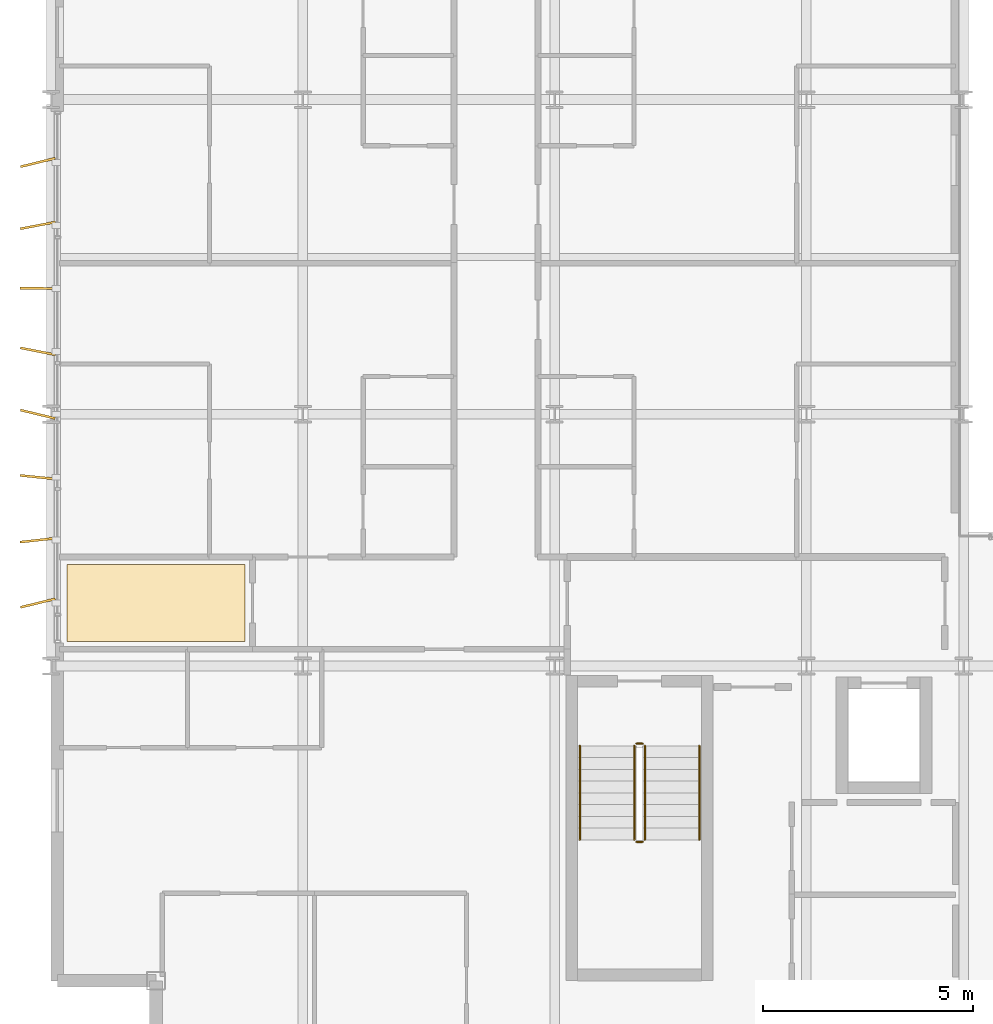
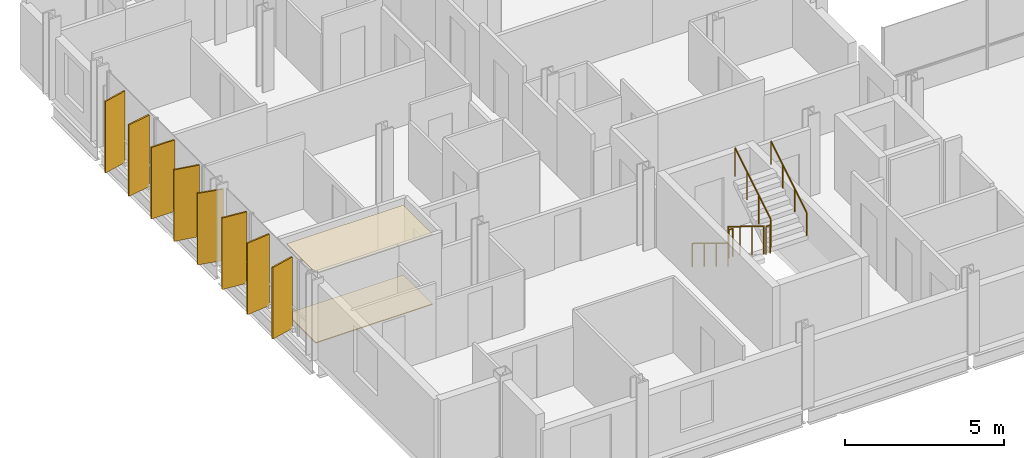
# One storey, part 36 of 39: 8 shading devices, 6 railings, 2 coverings.
"""IFC4 building model written with IfcOpenShell, lengths in metres."""

from ifc_helpers import new_model, si_unit, direction, frame, origin, origin_2d, place, context, subcontext, project, spatial, polyline, rectangle, circle, outline, extrude, material, layer, layer_set, type_object, element, save


model = new_model("IFC4")

# Units and contexts
model_context = context("Model", 3, precision=1e-05, world=origin(), true_north=direction((0.0, 1.0)))
body_context = subcontext(model_context, "Body", "Model", "MODEL_VIEW")
ifc_project = project(units=[si_unit("LENGTHUNIT", "METRE"), si_unit("AREAUNIT", "SQUARE_METRE"), si_unit("VOLUMEUNIT", "CUBIC_METRE"), si_unit("PLANEANGLEUNIT", "RADIAN"), si_unit("MASSUNIT", "GRAM", prefix="KILO")], contexts=[model_context])

# Site, building, storey
site_placement = place(None, origin())
site = spatial("IfcSite", under=ifc_project, at=site_placement, CompositionType="ELEMENT")
building_placement = place(site_placement, origin())
building = spatial("IfcBuilding", under=site, at=building_placement, Name="Brevholm Reach", CompositionType="ELEMENT")
storey_placement = place(building_placement, frame((0.0, 0.0, 109.699951171875)))
storey = spatial("IfcBuildingStorey", under=building, at=storey_placement, Name="L32", CompositionType="ELEMENT", Elevation=109.699951171875)

# Coverings
ifc_material_1 = material(Name="Moisture-Resistant Skimmed Gypsum Plasterboard Ceiling", Category="gypsum")
ifc_layer_1 = layer(ifc_material_1, 0.030029296875)
ifc_layer_set_1 = layer_set([ifc_layer_1], Name="Moisture-Resistant Skimmed Gypsum Plasterboard Ceiling")
covering_type_1 = type_object("IfcCoveringType", Name="COV-CLG-GYP", PredefinedType="CEILING", material=ifc_layer_set_1)
covering_1_placement = place(storey_placement, frame((0.0, 0.0, 2.679931640625)))
element("IfcCovering", 1, at=covering_1_placement, inside=storey, type_object=covering_type_1, Name="L32 Suspended Ceiling L32-33", PredefinedType="CEILING", context=body_context, shape_type="SweptSolid", body=[
    extrude(outline(polyline([(0.3798828125, 12.419921875), (4.615966796875, 12.419921875), (4.615966796875, 10.583984375), (0.3798828125, 10.583984375), (0.3798828125, 12.419921875)])), origin(), (0.0, 0.0, 1.0), 0.030029296875),
])
ifc_material_2 = material(Name="Honed Portland-Aggregate Resin Terrazzo Flooring", Category="concrete")
ifc_layer_2 = layer(ifc_material_2, 0.031982421875)
ifc_layer_set_2 = layer_set([ifc_layer_2], Name="Honed Portland-Aggregate Resin Terrazzo Flooring")
covering_type_2 = type_object("IfcCoveringType", Name="COV-FLR-TRZ", PredefinedType="FLOORING", material=ifc_layer_set_2)
covering_2_placement = place(storey_placement, origin())
element("IfcCovering", 2, at=covering_2_placement, inside=storey, type_object=covering_type_2, Name="L32 Floor Finish L32-33", PredefinedType="FLOORING", context=body_context, shape_type="SweptSolid", body=[
    extrude(outline(polyline([(0.3798828125, 12.419921875), (4.615966796875, 12.419921875), (4.615966796875, 10.583984375), (0.3798828125, 10.583984375), (0.3798828125, 12.419921875)])), origin(), (0.0, 0.0, 1.0), 0.031982421875),
])

# Railings
ifc_material_3 = material(Name="Brushed Stainless Steel EN 1.4401 Continuous Handrail", Category="steel")
railing_type_1 = type_object("IfcRailingType", Name="RAL-HND-950", PredefinedType="HANDRAIL", material=ifc_material_3)
railing_1_placement = place(storey_placement, frame((12.60009765625, 8.10009765625, 0.17236328125)))
element("IfcRailing", 3, at=railing_1_placement, inside=storey, type_object=railing_type_1, Name="L32 ST-1 stair handrail 1", PredefinedType="HANDRAIL", context=body_context, shape_type="SweptSolid", body=[
    extrude(circle(Radius=0.02392578125, at=origin_2d()), frame((0.0, 0.0, 0.8857421875), z_axis=(0.0, -0.85178898068, 0.523885037382), x_axis=(1.0, 0.0, 0.0)), (0.0, 0.0, 1.0), 2.629638671875),
    extrude(circle(Radius=0.02099609375, at=origin_2d()), origin(), (0.0, 0.0, 1.0), 0.86181640625),
    extrude(circle(Radius=0.02099609375, at=origin_2d()), frame((0.0, -0.74658203125, 0.459228515625)), (0.0, 0.0, 1.0), 0.86181640625),
    extrude(circle(Radius=0.02099609375, at=origin_2d()), frame((0.0, -1.493408203125, 0.91845703125)), (0.0, 0.0, 1.0), 0.86181640625),
    extrude(circle(Radius=0.02099609375, at=origin_2d()), frame((0.0, -2.239990234375, 1.377685546875)), (0.0, 0.0, 1.0), 0.86181640625),
])
railing_2_placement = place(storey_placement, frame((15.449951171875, 5.860107421875, 1.72216796875)))
element("IfcRailing", 4, at=railing_2_placement, inside=storey, type_object=railing_type_1, Name="L32 ST-1 stair handrail 2", PredefinedType="HANDRAIL", context=body_context, shape_type="SweptSolid", body=[
    extrude(circle(Radius=0.02392578125, at=origin_2d()), frame((0.0, 0.0, 0.8857421875), z_axis=(0.0, 0.851747552033, 0.523952390591), x_axis=(-1.0, 0.0, 0.0)), (0.0, 0.0, 1.0), 2.6298828125),
    extrude(circle(Radius=0.02099609375, at=origin_2d()), origin(), (0.0, 0.0, 1.0), 0.86181640625),
    extrude(circle(Radius=0.02099609375, at=origin_2d()), frame((0.0, 0.74658203125, 0.459228515625)), (0.0, 0.0, 1.0), 0.86181640625),
    extrude(circle(Radius=0.02099609375, at=origin_2d()), frame((0.0, 1.493408203125, 0.918701171875)), (0.0, 0.0, 1.0), 0.86181640625),
    extrude(circle(Radius=0.02099609375, at=origin_2d()), frame((0.0, 2.239990234375, 1.3779296875)), (0.0, 0.0, 1.0), 0.86181640625),
])
ifc_material_4 = material(Name="Painted Tubular Galvanised Steel S275JR Stair Guard", Category="steel")
railing_type_2 = type_object("IfcRailingType", Name="RAL-STG-1120", PredefinedType="BALUSTRADE", material=ifc_material_4)
railing_3_placement = place(storey_placement, frame((13.89990234375, 8.10009765625, 0.17236328125)))
element("IfcRailing", 5, at=railing_3_placement, inside=storey, type_object=railing_type_2, Name="L32 ST-1 stair guard 1", PredefinedType="BALUSTRADE", context=body_context, shape_type="SweptSolid", body=[
    extrude(circle(Radius=0.02392578125, at=origin_2d()), frame((0.0, 0.0, 1.076171875), z_axis=(0.0, -0.85178898068, 0.523885037382), x_axis=(1.0, 0.0, 0.0)), (0.0, 0.0, 1.0), 2.629638671875),
    extrude(circle(Radius=0.02099609375, at=origin_2d()), origin(), (0.0, 0.0, 1.0), 1.052001953125),
    extrude(circle(Radius=0.02099609375, at=origin_2d()), frame((0.0, -0.74658203125, 0.459228515625)), (0.0, 0.0, 1.0), 1.052001953125),
    extrude(circle(Radius=0.02099609375, at=origin_2d()), frame((0.0, -1.493408203125, 0.91845703125)), (0.0, 0.0, 1.0), 1.052001953125),
    extrude(circle(Radius=0.02099609375, at=origin_2d()), frame((0.0, -2.239990234375, 1.377685546875)), (0.0, 0.0, 1.0), 1.052001953125),
])
railing_4_placement = place(storey_placement, frame((13.949951171875, 5.81005859375, 1.550048828125)))
element("IfcRailing", 6, at=railing_4_placement, inside=storey, type_object=railing_type_2, Name="L32 ST-1 stair guard 2", PredefinedType="BALUSTRADE", context=body_context, shape_type="SweptSolid", body=[
    extrude(circle(Radius=0.02392578125, at=origin_2d()), frame((0.0, 0.0, 1.076171875), z_axis=(1.0, 0.0, 0.0), x_axis=(0.0, 1.0, 0.0)), (0.0, 0.0, 1.0), 0.150146484375),
    extrude(circle(Radius=0.02099609375, at=origin_2d()), origin(), (0.0, 0.0, 1.0), 1.052001953125),
    extrude(circle(Radius=0.02099609375, at=origin_2d()), frame((0.150146484375, 0.0, 0.0)), (0.0, 0.0, 1.0), 1.052001953125),
])
railing_5_placement = place(storey_placement, frame((14.14990234375, 5.860107421875, 1.72216796875)))
element("IfcRailing", 7, at=railing_5_placement, inside=storey, type_object=railing_type_2, Name="L32 ST-1 stair guard 3", PredefinedType="BALUSTRADE", context=body_context, shape_type="SweptSolid", body=[
    extrude(circle(Radius=0.02392578125, at=origin_2d()), frame((0.0, 0.0, 1.076171875), z_axis=(0.0, 0.851747552033, 0.523952390591), x_axis=(-1.0, 0.0, 0.0)), (0.0, 0.0, 1.0), 2.6298828125),
    extrude(circle(Radius=0.02099609375, at=origin_2d()), origin(), (0.0, 0.0, 1.0), 1.052001953125),
    extrude(circle(Radius=0.02099609375, at=origin_2d()), frame((0.0, 0.74658203125, 0.459228515625)), (0.0, 0.0, 1.0), 1.052001953125),
    extrude(circle(Radius=0.02099609375, at=origin_2d()), frame((0.0, 1.493408203125, 0.918701171875)), (0.0, 0.0, 1.0), 1.052001953125),
    extrude(circle(Radius=0.02099609375, at=origin_2d()), frame((0.0, 2.239990234375, 1.3779296875)), (0.0, 0.0, 1.0), 1.052001953125),
])
railing_6_placement = place(storey_placement, frame((13.949951171875, 8.14990234375, 0.0)))
element("IfcRailing", 8, at=railing_6_placement, inside=storey, type_object=railing_type_2, Name="L32 ST-1 stair guard 4", PredefinedType="BALUSTRADE", context=body_context, shape_type="SweptSolid", body=[
    extrude(circle(Radius=0.02392578125, at=origin_2d()), frame((0.0, 0.0, 1.076171875), z_axis=(1.0, 0.0, 0.0), x_axis=(0.0, 1.0, 0.0)), (0.0, 0.0, 1.0), 0.150146484375),
    extrude(circle(Radius=0.02099609375, at=origin_2d()), origin(), (0.0, 0.0, 1.0), 1.052001953125),
    extrude(circle(Radius=0.02099609375, at=origin_2d()), frame((0.150146484375, 0.0, 0.0)), (0.0, 0.0, 1.0), 1.052001953125),
])

# Shading devices
ifc_material_5 = material(Name="Perforated Champagne-Bronze Anodised Aluminium", Category="aluminium")
ifc_layer_3 = layer(ifc_material_5, 0.054931640625)
ifc_layer_set_3 = layer_set([ifc_layer_3], Name="Perforated Champagne-Bronze Anodised Aluminium")
shading_device_type = type_object("IfcShadingDeviceType", Name="SHD-FIN-850", PredefinedType="USERDEFINED", material=ifc_layer_set_3)
for number, where, z_axis, x_axis, name in (
    (9, (-0.31494140625, 11.5, 0.06982421875), (0.0, 0.0, 1.0), (-0.971516041684, -0.236973797604, 0.0), "L32 Perforated Solar Screen Fin 1"),
    (10, (-0.31494140625, 13.0, 0.06982421875), (0.0, 0.0, 1.0), (-0.993912980213, -0.110167997914, 0.0), "L32 Perforated Solar Screen Fin 2"),
    (11, (-0.31494140625, 14.5, 0.06982421875), (0.0, 0.0, 1.0), (-0.994843602938, 0.101420933212, 0.0), "L32 Perforated Solar Screen Fin 3"),
    (12, (-0.31494140625, 16.0, 0.06982421875), (0.0, 0.0, 1.0), (-0.972026626745, 0.234870681223, 0.0), "L32 Perforated Solar Screen Fin 4"),
    (13, (-0.31494140625, 17.5, 0.06982421875), (0.0, 0.0, 1.0), (-0.981232133009, 0.192830239203, 0.0), "L32 Perforated Solar Screen Fin 5"),
    (14, (-0.31494140625, 19.0, 0.06982421875), (0.0, 0.0, 1.0), (-0.999988059021, 0.004886902454, 0.0), "L32 Perforated Solar Screen Fin 6"),
    (15, (-0.31494140625, 20.5, 0.06982421875), (0.0, 0.0, 1.0), (-0.982388489995, -0.186849818636, 0.0), "L32 Perforated Solar Screen Fin 7"),
    (16, (-0.31494140625, 22.0, 0.06982421875), (0.0, 0.0, 1.0), (-0.971516041684, -0.236973797604, 0.0), "L32 Perforated Solar Screen Fin 8"),
):
    element("IfcShadingDevice", number, at=place(storey_placement, frame(where, z_axis=z_axis, x_axis=x_axis)), inside=storey, type_object=shading_device_type, Name=name, ObjectType="SCREEN", PredefinedType="USERDEFINED", context=body_context, shape_type="SweptSolid", body=[
        extrude(rectangle(XDim=0.85009765625, YDim=0.054931640625, at=origin_2d()), origin(), (0.0, 0.0, 1.0), 2.739990234375),
    ])

save(model, "model.ifc")
